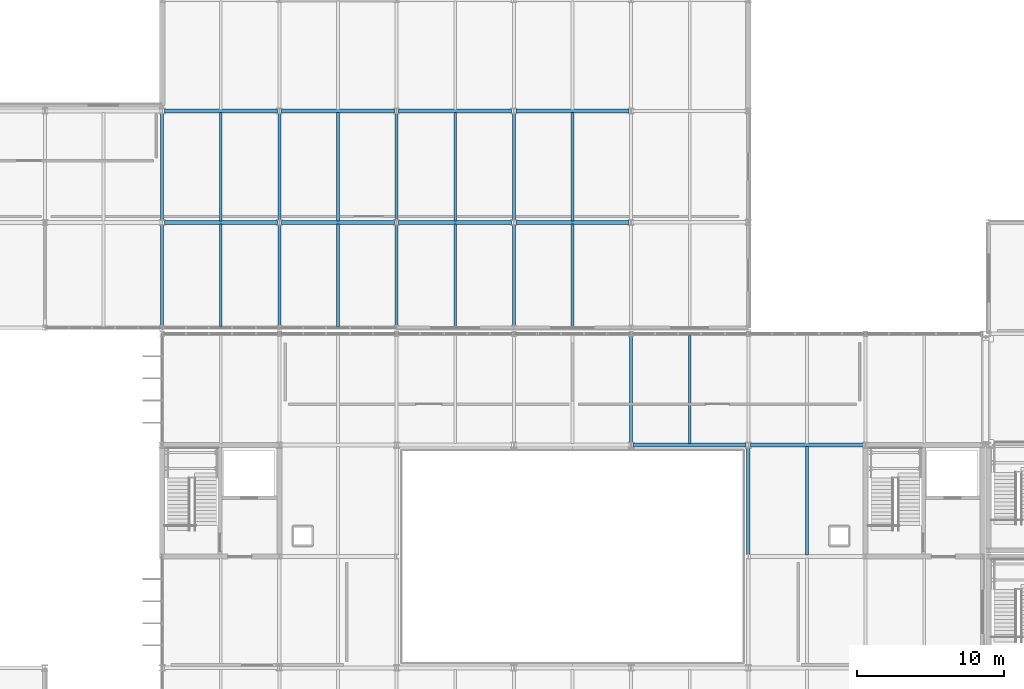
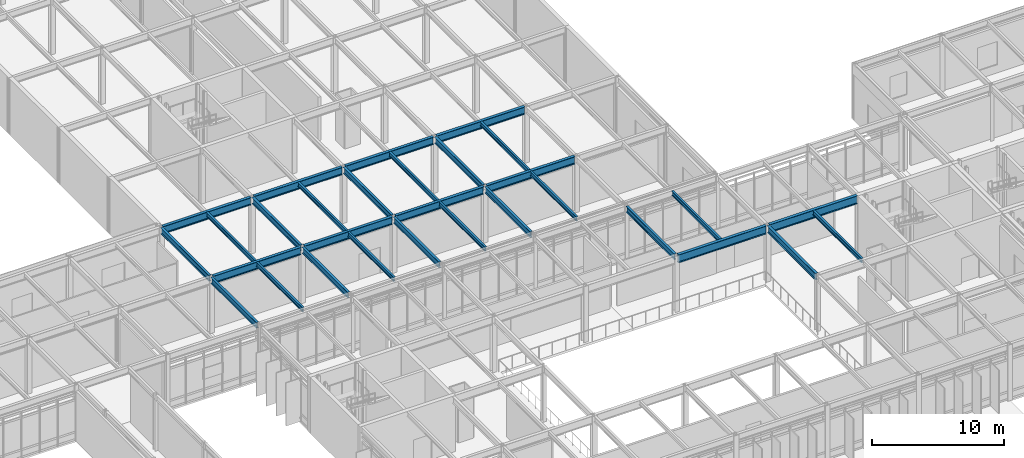
# One storey, part 45 of 94: 30 beams.
"""IFC4 building model written with IfcOpenShell, lengths in metres."""

from ifc_helpers import new_model, si_unit, direction, frame, origin, origin_2d, place, context, subcontext, project, spatial, i_section, extrude, material, material_profile, profile_set, type_object, element, save


model = new_model("IFC4")

# Units and contexts
model_context = context("Model", 3, precision=1e-05, world=origin(), true_north=direction((0.0, 1.0)))
body_context = subcontext(model_context, "Body", "Model", "MODEL_VIEW")
ifc_project = project(units=[si_unit("LENGTHUNIT", "METRE"), si_unit("AREAUNIT", "SQUARE_METRE"), si_unit("VOLUMEUNIT", "CUBIC_METRE"), si_unit("PLANEANGLEUNIT", "RADIAN"), si_unit("MASSUNIT", "GRAM", prefix="KILO")], contexts=[model_context])

# Site, building, storey
site_placement = place(None, origin())
site = spatial("IfcSite", under=ifc_project, at=site_placement, CompositionType="ELEMENT")
building_placement = place(site_placement, origin())
building = spatial("IfcBuilding", under=site, at=building_placement, Name="Zulena Civic Courthouse", CompositionType="ELEMENT")
storey_placement = place(building_placement, frame((0.0, 0.0, 5.39990234375)))
storey = spatial("IfcBuildingStorey", under=building, at=storey_placement, Name="L01", CompositionType="ELEMENT", Elevation=5.39990234375)

# Beams
ifc_material = material(Name="Steel ASTM A992 Grade 50", Category="steel")
ifc_material_profile_1 = material_profile(ifc_material, i_section(OverallWidth=0.214111328125, OverallDepth=0.549072265625, WebThickness=0.0146484375, FlangeThickness=0.023681640625, FilletRadius=0.0126953125, at=origin_2d()), Name="W21X93")
ifc_profile_set_1 = profile_set([ifc_material_profile_1], Name="Steel ASTM A992 Grade 50")
beam_type_1 = type_object("IfcBeamType", Name="Girder_W21X93", PredefinedType="BEAM", material=ifc_profile_set_1)
for number, where, z_axis, x_axis, name in (
    (1, (68.0, 53.344970703125, 4.91064453125), (0.0, 1.0, 0.0), (-1.0, 0.0, 0.0), "beam:Y:V5:L01:68.0:53.2_60.8"),
    (2, (76.0, 53.344970703125, 4.91064453125), (0.0, 1.0, 0.0), (-1.0, 0.0, 0.0), "beam:Y:V5:L01:76.0:53.2_60.8"),
    (3, (84.0, 53.344970703125, 4.91064453125), (0.0, 1.0, 0.0), (-1.0, 0.0, 0.0), "beam:Y:V5:L01:84.0:53.2_60.8"),
    (4, (92.0, 53.344970703125, 4.91064453125), (0.0, 1.0, 0.0), (-1.0, 0.0, 0.0), "beam:Y:V5:L01:92.0:53.2_60.8"),
):
    element("IfcBeam", number, at=place(storey_placement, frame(where, z_axis=z_axis, x_axis=x_axis)), inside=storey, type_object=beam_type_1, Name=name, PredefinedType="BEAM", context=body_context, shape_type="SweptSolid", body=[
        extrude(i_section(OverallWidth=0.214111328125, OverallDepth=0.549072265625, WebThickness=0.0146484375, FlangeThickness=0.023681640625, FilletRadius=0.0126953125, at=origin_2d()), origin(), (0.0, 0.0, 1.0), 7.31005859375),
    ])
ifc_material_profile_2 = material_profile(ifc_material, i_section(OverallWidth=0.22802734375, OverallDepth=0.60693359375, WebThickness=0.01123046875, FlangeThickness=0.017333984375, FilletRadius=0.0126953125, at=origin_2d()), Name="W24X76")
ifc_profile_set_2 = profile_set([ifc_material_profile_2], Name="Steel ASTM A992 Grade 50")
beam_type_2 = type_object("IfcBeamType", Name="Girder_W24X76", PredefinedType="BEAM", material=ifc_profile_set_2)
beam_1_placement = place(storey_placement, frame((108.0, 30.544921875, 4.881591796875), z_axis=(0.0, 1.0, 0.0), x_axis=(-1.0, 0.0, 0.0)))
element("IfcBeam", 5, at=beam_1_placement, inside=storey, type_object=beam_type_2, Name="beam:Y:V4:L01:108.0:30.4_38.0", PredefinedType="BEAM", context=body_context, shape_type="SweptSolid", body=[
    extrude(i_section(OverallWidth=0.22802734375, OverallDepth=0.60693359375, WebThickness=0.01123046875, FlangeThickness=0.017333984375, FilletRadius=0.0126953125, at=origin_2d()), origin(), (0.0, 0.0, 1.0), 7.31005859375),
])
ifc_material_profile_3 = material_profile(ifc_material, i_section(OverallWidth=0.25390625, OverallDepth=0.701904296875, WebThickness=0.015380859375, FlangeThickness=0.02783203125, FilletRadius=0.0166015625, at=origin_2d()), Name="W27X129")
ifc_profile_set_3 = profile_set([ifc_material_profile_3], Name="Steel ASTM A992 Grade 50")
beam_type_3 = type_object("IfcBeamType", Name="Girder_W27X129", PredefinedType="BEAM", material=ifc_profile_set_3)
for number, where, z_axis, x_axis, name in (
    (6, (68.14501953125, 53.199951171875, 4.833984375), (1.0, 0.0, 0.0), (0.0, 1.0, 0.0), "beam:X:V5:L01:53.2:68.0_76.0"),
    (7, (76.14501953125, 53.199951171875, 4.833984375), (1.0, 0.0, 0.0), (0.0, 1.0, 0.0), "beam:X:V5:L01:53.2:76.0_84.0"),
    (8, (84.14501953125, 53.199951171875, 4.833984375), (1.0, 0.0, 0.0), (0.0, 1.0, 0.0), "beam:X:V5:L01:53.2:84.0_92.0"),
    (9, (92.14501953125, 53.199951171875, 4.833984375), (1.0, 0.0, 0.0), (0.0, 1.0, 0.0), "beam:X:V5:L01:53.2:92.0_100.0"),
    (10, (68.14501953125, 60.800048828125, 4.833984375), (1.0, 0.0, 0.0), (0.0, 1.0, 0.0), "beam:X:V5:L01:60.8:68.0_76.0"),
    (11, (76.14501953125, 60.800048828125, 4.833984375), (1.0, 0.0, 0.0), (0.0, 1.0, 0.0), "beam:X:V5:L01:60.8:76.0_84.0"),
    (12, (84.14501953125, 60.800048828125, 4.833984375), (1.0, 0.0, 0.0), (0.0, 1.0, 0.0), "beam:X:V5:L01:60.8:84.0_92.0"),
    (13, (92.14501953125, 60.800048828125, 4.833984375), (1.0, 0.0, 0.0), (0.0, 1.0, 0.0), "beam:X:V5:L01:60.8:92.0_100.0"),
):
    element("IfcBeam", number, at=place(storey_placement, frame(where, z_axis=z_axis, x_axis=x_axis)), inside=storey, type_object=beam_type_3, Name=name, PredefinedType="BEAM", context=body_context, shape_type="SweptSolid", body=[
        extrude(i_section(OverallWidth=0.25390625, OverallDepth=0.701904296875, WebThickness=0.015380859375, FlangeThickness=0.02783203125, FilletRadius=0.0166015625, at=origin_2d()), origin(), (0.0, 0.0, 1.0), 7.7099609375),
    ])
ifc_material_profile_4 = material_profile(ifc_material, i_section(OverallWidth=0.26708984375, OverallDepth=0.761962890625, WebThickness=0.014404296875, FlangeThickness=0.021484375, FilletRadius=0.0166015625, at=origin_2d()), Name="W30X116")
ifc_profile_set_4 = profile_set([ifc_material_profile_4], Name="Steel ASTM A992 Grade 50")
beam_type_4 = type_object("IfcBeamType", Name="Girder_W30X116", PredefinedType="BEAM", material=ifc_profile_set_4)
for number, where, z_axis, x_axis, name in (
    (14, (100.14501953125, 38.0, 4.80419921875), (1.0, 0.0, 0.0), (0.0, 1.0, 0.0), "beam:X:V4:L01:38.0:100.0_108.0"),
    (15, (108.14501953125, 38.0, 4.80419921875), (1.0, 0.0, 0.0), (0.0, 1.0, 0.0), "beam:X:V4:L01:38.0:108.0_116.0"),
):
    element("IfcBeam", number, at=place(storey_placement, frame(where, z_axis=z_axis, x_axis=x_axis)), inside=storey, type_object=beam_type_4, Name=name, PredefinedType="BEAM", context=body_context, shape_type="SweptSolid", body=[
        extrude(i_section(OverallWidth=0.26708984375, OverallDepth=0.761962890625, WebThickness=0.014404296875, FlangeThickness=0.021484375, FilletRadius=0.0166015625, at=origin_2d()), origin(), (0.0, 0.0, 1.0), 7.7099609375),
    ])
ifc_material_profile_5 = material_profile(ifc_material, i_section(OverallWidth=0.177978515625, OverallDepth=0.406005859375, WebThickness=0.0078125, FlangeThickness=0.0126953125, FilletRadius=0.01025390625, at=origin_2d()), Name="W16X40")
ifc_profile_set_5 = profile_set([ifc_material_profile_5], Name="Steel ASTM A992 Grade 50")
beam_type_5 = type_object("IfcBeamType", Name="Joist_W16X40", PredefinedType="JOIST", material=ifc_profile_set_5)
beam_2_placement = place(storey_placement, frame((72.0, 46.10498046875, 4.982177734375), z_axis=(0.0, 1.0, 0.0), x_axis=(-1.0, 0.0, 0.0)))
element("IfcBeam", 16, at=beam_2_placement, inside=storey, type_object=beam_type_5, Name="joist:V5:L01:72.00:46.0_53.2", PredefinedType="JOIST", context=body_context, shape_type="SweptSolid", body=[
    extrude(i_section(OverallWidth=0.177978515625, OverallDepth=0.406005859375, WebThickness=0.0078125, FlangeThickness=0.0126953125, FilletRadius=0.01025390625, at=origin_2d()), origin(), (0.0, 0.0, 1.0), 6.989990234375),
])
beam_3_placement = place(storey_placement, frame((72.0, 53.304931640625, 4.982177734375), z_axis=(0.0, 1.0, 0.0), x_axis=(-1.0, 0.0, 0.0)))
element("IfcBeam", 17, at=beam_3_placement, inside=storey, type_object=beam_type_5, Name="joist:V5:L01:72.00:53.2_60.8", PredefinedType="JOIST", context=body_context, shape_type="SweptSolid", body=[
    extrude(i_section(OverallWidth=0.177978515625, OverallDepth=0.406005859375, WebThickness=0.0078125, FlangeThickness=0.0126953125, FilletRadius=0.01025390625, at=origin_2d()), origin(), (0.0, 0.0, 1.0), 7.39013671875),
])
beam_4_placement = place(storey_placement, frame((80.0, 46.10498046875, 4.982177734375), z_axis=(0.0, 1.0, 0.0), x_axis=(-1.0, 0.0, 0.0)))
element("IfcBeam", 18, at=beam_4_placement, inside=storey, type_object=beam_type_5, Name="joist:V5:L01:80.00:46.0_53.2", PredefinedType="JOIST", context=body_context, shape_type="SweptSolid", body=[
    extrude(i_section(OverallWidth=0.177978515625, OverallDepth=0.406005859375, WebThickness=0.0078125, FlangeThickness=0.0126953125, FilletRadius=0.01025390625, at=origin_2d()), origin(), (0.0, 0.0, 1.0), 6.989990234375),
])
beam_5_placement = place(storey_placement, frame((80.0, 53.304931640625, 4.982177734375), z_axis=(0.0, 1.0, 0.0), x_axis=(-1.0, 0.0, 0.0)))
element("IfcBeam", 19, at=beam_5_placement, inside=storey, type_object=beam_type_5, Name="joist:V5:L01:80.00:53.2_60.8", PredefinedType="JOIST", context=body_context, shape_type="SweptSolid", body=[
    extrude(i_section(OverallWidth=0.177978515625, OverallDepth=0.406005859375, WebThickness=0.0078125, FlangeThickness=0.0126953125, FilletRadius=0.01025390625, at=origin_2d()), origin(), (0.0, 0.0, 1.0), 7.39013671875),
])
beam_6_placement = place(storey_placement, frame((88.0, 46.10498046875, 4.982177734375), z_axis=(0.0, 1.0, 0.0), x_axis=(-1.0, 0.0, 0.0)))
element("IfcBeam", 20, at=beam_6_placement, inside=storey, type_object=beam_type_5, Name="joist:V5:L01:88.00:46.0_53.2", PredefinedType="JOIST", context=body_context, shape_type="SweptSolid", body=[
    extrude(i_section(OverallWidth=0.177978515625, OverallDepth=0.406005859375, WebThickness=0.0078125, FlangeThickness=0.0126953125, FilletRadius=0.01025390625, at=origin_2d()), origin(), (0.0, 0.0, 1.0), 6.989990234375),
])
beam_7_placement = place(storey_placement, frame((88.0, 53.304931640625, 4.982177734375), z_axis=(0.0, 1.0, 0.0), x_axis=(-1.0, 0.0, 0.0)))
element("IfcBeam", 21, at=beam_7_placement, inside=storey, type_object=beam_type_5, Name="joist:V5:L01:88.00:53.2_60.8", PredefinedType="JOIST", context=body_context, shape_type="SweptSolid", body=[
    extrude(i_section(OverallWidth=0.177978515625, OverallDepth=0.406005859375, WebThickness=0.0078125, FlangeThickness=0.0126953125, FilletRadius=0.01025390625, at=origin_2d()), origin(), (0.0, 0.0, 1.0), 7.39013671875),
])
beam_8_placement = place(storey_placement, frame((96.0, 46.10498046875, 4.982177734375), z_axis=(0.0, 1.0, 0.0), x_axis=(-1.0, 0.0, 0.0)))
element("IfcBeam", 22, at=beam_8_placement, inside=storey, type_object=beam_type_5, Name="joist:V5:L01:96.00:46.0_53.2", PredefinedType="JOIST", context=body_context, shape_type="SweptSolid", body=[
    extrude(i_section(OverallWidth=0.177978515625, OverallDepth=0.406005859375, WebThickness=0.0078125, FlangeThickness=0.0126953125, FilletRadius=0.01025390625, at=origin_2d()), origin(), (0.0, 0.0, 1.0), 6.989990234375),
])
beam_9_placement = place(storey_placement, frame((96.0, 53.304931640625, 4.982177734375), z_axis=(0.0, 1.0, 0.0), x_axis=(-1.0, 0.0, 0.0)))
element("IfcBeam", 23, at=beam_9_placement, inside=storey, type_object=beam_type_5, Name="joist:V5:L01:96.00:53.2_60.8", PredefinedType="JOIST", context=body_context, shape_type="SweptSolid", body=[
    extrude(i_section(OverallWidth=0.177978515625, OverallDepth=0.406005859375, WebThickness=0.0078125, FlangeThickness=0.0126953125, FilletRadius=0.01025390625, at=origin_2d()), origin(), (0.0, 0.0, 1.0), 7.39013671875),
])
ifc_material_profile_6 = material_profile(ifc_material, i_section(OverallWidth=0.180908203125, OverallDepth=0.4169921875, WebThickness=0.010986328125, FlangeThickness=0.018310546875, FilletRadius=0.01025390625, at=origin_2d()), Name="W16X57")
ifc_profile_set_6 = profile_set([ifc_material_profile_6], Name="Steel ASTM A992 Grade 50")
beam_type_6 = type_object("IfcBeamType", Name="Joist_W16X57", PredefinedType="JOIST", material=ifc_profile_set_6)
for number, where, z_axis, x_axis, name in (
    (24, (104.0, 38.10498046875, 4.9765625), (0.0, 1.0, 0.0), (-1.0, 0.0, 0.0), "joist:V4:L01:104.00:38.0_45.6"),
    (25, (112.0, 30.5048828125, 4.9765625), (0.0, 1.0, 0.0), (-1.0, 0.0, 0.0), "joist:V4:L01:112.00:30.4_38.0"),
):
    element("IfcBeam", number, at=place(storey_placement, frame(where, z_axis=z_axis, x_axis=x_axis)), inside=storey, type_object=beam_type_6, Name=name, PredefinedType="JOIST", context=body_context, shape_type="SweptSolid", body=[
        extrude(i_section(OverallWidth=0.180908203125, OverallDepth=0.4169921875, WebThickness=0.010986328125, FlangeThickness=0.018310546875, FilletRadius=0.01025390625, at=origin_2d()), origin(), (0.0, 0.0, 1.0), 7.39013671875),
    ])
ifc_material_profile_7 = material_profile(ifc_material, i_section(OverallWidth=0.2099609375, OverallDepth=0.537109375, WebThickness=0.010986328125, FlangeThickness=0.017333984375, FilletRadius=0.0126953125, at=origin_2d()), Name="W21X68")
ifc_profile_set_7 = profile_set([ifc_material_profile_7], Name="Steel ASTM A992 Grade 50")
beam_type_7 = type_object("IfcBeamType", Name="Spandrel_W21X68", PredefinedType="SPANDREL", material=ifc_profile_set_7)
beam_10_placement = place(storey_placement, frame((100.0, 38.14501953125, 4.91650390625), z_axis=(0.0, 1.0, 0.0), x_axis=(-1.0, 0.0, 0.0)))
element("IfcBeam", 26, at=beam_10_placement, inside=storey, type_object=beam_type_7, Name="beam:Y:V4:L01:100.0:38.0_45.6", PredefinedType="SPANDREL", context=body_context, shape_type="SweptSolid", body=[
    extrude(i_section(OverallWidth=0.2099609375, OverallDepth=0.537109375, WebThickness=0.010986328125, FlangeThickness=0.017333984375, FilletRadius=0.0126953125, at=origin_2d()), origin(), (0.0, 0.0, 1.0), 7.31005859375),
])
for number, where, z_axis, x_axis, name in (
    (27, (68.0, 46.14501953125, 4.91650390625), (0.0, 1.0, 0.0), (-1.0, 0.0, 0.0), "beam:Y:V5:L01:68.0:46.0_53.2"),
    (28, (76.0, 46.14501953125, 4.91650390625), (0.0, 1.0, 0.0), (-1.0, 0.0, 0.0), "beam:Y:V5:L01:76.0:46.0_53.2"),
    (29, (84.0, 46.14501953125, 4.91650390625), (0.0, 1.0, 0.0), (-1.0, 0.0, 0.0), "beam:Y:V5:L01:84.0:46.0_53.2"),
    (30, (92.0, 46.14501953125, 4.91650390625), (0.0, 1.0, 0.0), (-1.0, 0.0, 0.0), "beam:Y:V5:L01:92.0:46.0_53.2"),
):
    element("IfcBeam", number, at=place(storey_placement, frame(where, z_axis=z_axis, x_axis=x_axis)), inside=storey, type_object=beam_type_7, Name=name, PredefinedType="SPANDREL", context=body_context, shape_type="SweptSolid", body=[
        extrude(i_section(OverallWidth=0.2099609375, OverallDepth=0.537109375, WebThickness=0.010986328125, FlangeThickness=0.017333984375, FilletRadius=0.0126953125, at=origin_2d()), origin(), (0.0, 0.0, 1.0), 6.909912109375),
    ])

save(model, "model.ifc")
